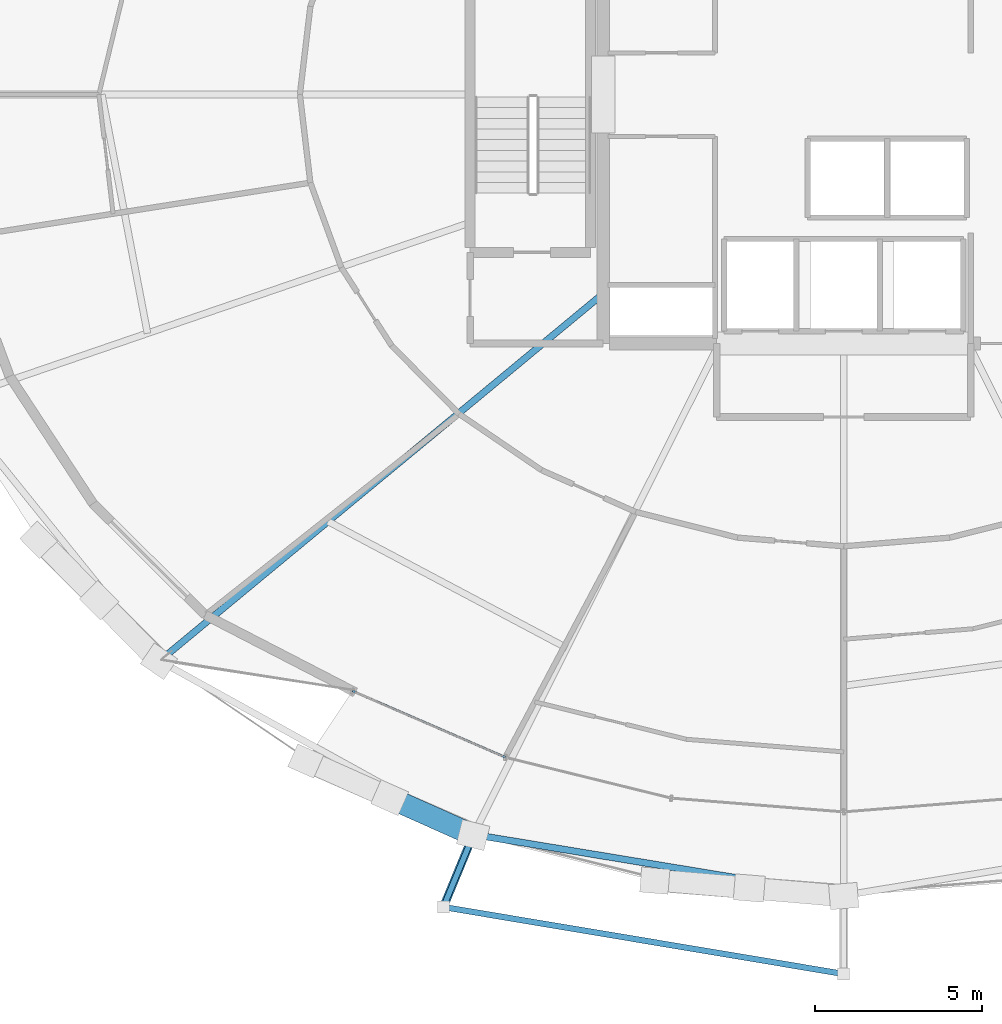
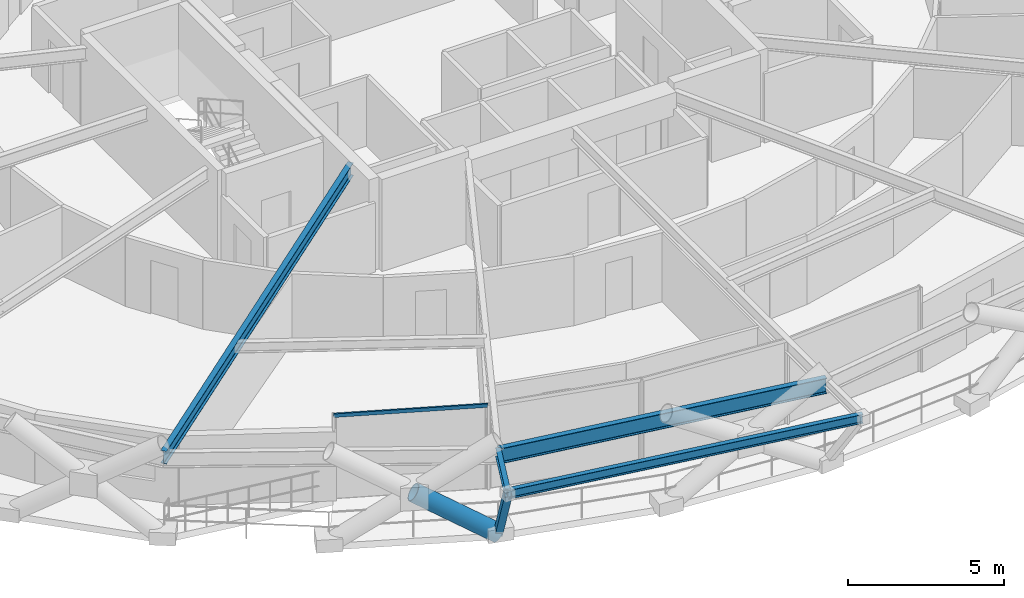
# One storey, part 3 of 20: 4 beams, 3 members, 1 element without a shape of its own.
"""IFC4 building model written with IfcOpenShell, lengths in metres."""

from ifc_helpers import new_model, si_unit, direction, frame, origin, origin_2d, place, context, subcontext, project, spatial, hollow_rectangle, hollow_circle, i_section, extrude, material, layer, layer_set, material_profile, profile_set, type_object, element, aggregate, save


model = new_model("IFC4")

# Units and contexts
model_context = context("Model", 3, precision=1e-05, world=origin(), true_north=direction((0.0, 1.0)))
body_context = subcontext(model_context, "Body", "Model", "MODEL_VIEW")
ifc_project = project(units=[si_unit("LENGTHUNIT", "METRE"), si_unit("AREAUNIT", "SQUARE_METRE"), si_unit("VOLUMEUNIT", "CUBIC_METRE"), si_unit("PLANEANGLEUNIT", "RADIAN"), si_unit("MASSUNIT", "GRAM", prefix="KILO")], contexts=[model_context])

# Site, building, storey
site_placement = place(None, origin())
site = spatial("IfcSite", under=ifc_project, at=site_placement, CompositionType="ELEMENT")
building_placement = place(site_placement, origin())
building = spatial("IfcBuilding", under=site, at=building_placement, Name="Veldorina Hangang Commons", CompositionType="ELEMENT")
storey_placement = place(building_placement, frame((0.0, 0.0, 84.39990234375)))
storey = spatial("IfcBuildingStorey", under=building, at=storey_placement, Name="L21", CompositionType="ELEMENT", Elevation=84.39990234375)

# Beams
ifc_material_1 = material(Name="Steel SM355-TMC", Category="steel")
ifc_material_profile_1 = material_profile(ifc_material_1, i_section(OverallWidth=0.175048828125, OverallDepth=0.35009765625, WebThickness=0.007080078125, FlangeThickness=0.010986328125, FilletRadius=0.012939453125, at=origin_2d()), Name="H-350x175x7x11")
ifc_profile_set_1 = profile_set([ifc_material_profile_1], Name="Steel SM355-TMC")
beam_type_1 = type_object("IfcBeamType", Name="BM-FG350", PredefinedType="BEAM", material=ifc_profile_set_1)
beam_1_placement = place(storey_placement, frame((20.920654296875, 1.858154296875, 3.1650390625), z_axis=(-0.382630118564, -0.923901614008, 0.0), x_axis=(0.923901614008, -0.382630118564, 0.0)))
element("IfcBeam", 1, at=beam_1_placement, inside=storey, type_object=beam_type_1, Name="L22 tree balcony 1 bracket beam A", PredefinedType="BEAM", context=body_context, shape_type="SweptSolid", body=[
    extrude(i_section(OverallWidth=0.175048828125, OverallDepth=0.35009765625, WebThickness=0.007080078125, FlangeThickness=0.010986328125, FilletRadius=0.012939453125, at=origin_2d()), origin(), (0.0, 0.0, 1.0), 2.349853515625),
])
beam_2_placement = place(storey_placement, frame((20.021484375, -0.31298828125, 3.1650390625), z_axis=(0.986303586305, -0.164940097131, 0.0), x_axis=(0.164940097131, 0.986303586305, 0.0)))
element("IfcBeam", 2, at=beam_2_placement, inside=storey, type_object=beam_type_1, Name="L22 tree balcony 1 outer rim beam", PredefinedType="BEAM", context=body_context, shape_type="SweptSolid", body=[
    extrude(i_section(OverallWidth=0.175048828125, OverallDepth=0.35009765625, WebThickness=0.007080078125, FlangeThickness=0.010986328125, FilletRadius=0.012939453125, at=origin_2d()), origin(), (0.0, 0.0, 1.0), 12.144775390625),
])
ifc_material_2 = material(Name="Steel SM420-TMC", Category="steel")
ifc_material_profile_2 = material_profile(ifc_material_2, i_section(OverallWidth=0.199951171875, OverallDepth=0.5, WebThickness=0.010009765625, FlangeThickness=0.01611328125, FilletRadius=0.01611328125, at=origin_2d()), Name="H-500x200x10x16")
ifc_profile_set_2 = profile_set([ifc_material_profile_2], Name="Steel SM420-TMC")
beam_type_2 = type_object("IfcBeamType", Name="BM-FG500", PredefinedType="BEAM", material=ifc_profile_set_2)
beam_3_placement = place(storey_placement, frame((24.800048828125, 18.0400390625, 3.090087890625), z_axis=(-0.770318971454, -0.637658750601, 0.0), x_axis=(0.637658750601, -0.770318971454, 0.0)))
element("IfcBeam", 3, at=beam_3_placement, inside=storey, type_object=beam_type_2, Name="L21 radial floor girder 11", PredefinedType="BEAM", context=body_context, shape_type="SweptSolid", body=[
    extrude(i_section(OverallWidth=0.199951171875, OverallDepth=0.5, WebThickness=0.010009765625, FlangeThickness=0.01611328125, FilletRadius=0.01611328125, at=origin_2d()), origin(), (0.0, 0.0, 1.0), 17.23291015625),
])
ifc_material_profile_3 = material_profile(ifc_material_2, i_section(OverallWidth=0.199951171875, OverallDepth=0.60009765625, WebThickness=0.010986328125, FlangeThickness=0.01708984375, FilletRadius=0.01806640625, at=origin_2d()), Name="H-600x200x11x17")
ifc_profile_set_3 = profile_set([ifc_material_profile_3], Name="Steel SM420-TMC")
beam_type_3 = type_object("IfcBeamType", Name="BM-RB600", PredefinedType="BEAM", material=ifc_profile_set_3)
beam_4_placement = place(storey_placement, frame((20.919189453125, 1.85546875, 3.0400390625), z_axis=(0.986711114759, -0.162484386977, 0.0), x_axis=(0.162484386977, 0.986711114759, 0.0)))
element("IfcBeam", 4, at=beam_4_placement, inside=storey, type_object=beam_type_3, Name="L21 perimeter hoop ring beam 22", PredefinedType="BEAM", context=body_context, shape_type="SweptSolid", body=[
    extrude(i_section(OverallWidth=0.199951171875, OverallDepth=0.60009765625, WebThickness=0.010986328125, FlangeThickness=0.01708984375, FilletRadius=0.01806640625, at=origin_2d()), origin(), (0.0, 0.0, 1.0), 11.22998046875),
])

# Curtain wall, member
ifc_material_3 = material(Name="Glass Low-E Triple IGU", Category="glass")
ifc_layer = layer(ifc_material_3, 0.179931640625)
ifc_layer_set = layer_set([ifc_layer], Name="Glass Low-E Triple IGU")
curtain_wall_type = type_object("IfcCurtainWallType", Name="CW-SYS-Z1", PredefinedType="NOTDEFINED", material=ifc_layer_set)
curtain_wall_placement = place(storey_placement, origin())
curtain_wall = element("IfcCurtainWall", 5, at=curtain_wall_placement, inside=storey, type_object=curtain_wall_type, Name="L21 unitised curtain wall CW-L21-R1", PredefinedType="NOTDEFINED")
ifc_material_4 = material(Name="Aluminium Anodized AA6063-T6", Category="aluminium")
ifc_material_profile_4 = material_profile(ifc_material_4, hollow_rectangle(XDim=0.06005859375, YDim=0.139892578125, WallThickness=0.00341796875, at=origin_2d()), Name="ALU-RHS-140x60x3.5")
ifc_profile_set_4 = profile_set([ifc_material_profile_4], Name="Aluminium Anodized AA6063-T6")
member_type_1 = type_object("IfcMemberType", Name="CW-TRN-140", PredefinedType="USERDEFINED", material=ifc_profile_set_4)
member_1_placement = place(storey_placement, frame((17.30029296875, 6.15234375, 3.260009765625), z_axis=(0.917447213196, -0.397857526004, 0.0), x_axis=(0.397857526004, 0.917447213196, 0.0)))
member_1 = element("IfcMember", 6, at=member_1_placement, type_object=member_type_1, Name="CW-L21-R1 facet 1 transom 1", ObjectType="TRANSOM", PredefinedType="USERDEFINED", context=body_context, shape_type="SweptSolid", body=[
    extrude(hollow_rectangle(XDim=0.06005859375, YDim=0.139892578125, WallThickness=0.00341796875, at=origin_2d()), origin(), (0.0, 0.0, 1.0), 4.98583984375),
])
aggregate(curtain_wall, [member_1])

# Members
ifc_material_5 = material(Name="Steel SM460-TMC", Category="steel")
ifc_material_profile_5 = material_profile(ifc_material_5, hollow_circle(Radius=0.324951171875, WallThickness=0.031982421875, at=origin_2d()), Name="CHS-650x32")
ifc_profile_set_5 = profile_set([ifc_material_profile_5], Name="Steel SM460-TMC")
member_type_2 = type_object("IfcMemberType", Name="DG-CHS650", PredefinedType="BRACE", material=ifc_profile_set_5)
member_2_placement = place(storey_placement, frame((20.91015625, 1.840576171875, 0.0), z_axis=(-0.762686188377, 0.34080163567, 0.549694481675), x_axis=(-0.407966960305, -0.912996691834, 0.0)))
element("IfcMember", 7, at=member_2_placement, inside=storey, type_object=member_type_2, Name="L21 split perimeter diagrid lower brace 22", PredefinedType="BRACE", context=body_context, shape_type="SweptSolid", body=[
    extrude(hollow_circle(Radius=0.324951171875, WallThickness=0.031982421875, at=origin_2d()), origin(), (0.0, 0.0, 1.0), 3.27587890625),
])
ifc_material_profile_6 = material_profile(ifc_material_1, hollow_rectangle(XDim=0.25, YDim=0.25, WallThickness=0.011962890625, at=origin_2d()), Name="SHS-250x250x12")
ifc_profile_set_6 = profile_set([ifc_material_profile_6], Name="Steel SM355-TMC")
member_type_3 = type_object("IfcMemberType", Name="STR-SHS250", PredefinedType="STRUT", material=ifc_profile_set_6)
member_3_placement = place(storey_placement, frame((20.91015625, 1.840576171875, 0.0), z_axis=(-0.226124062284, -0.547978119069, 0.805349544905), x_axis=(0.924389183785, -0.381450700485, 0.0)))
element("IfcMember", 8, at=member_3_placement, inside=storey, type_object=member_type_3, Name="L22 tree balcony 1 raking knee strut A", PredefinedType="STRUT", context=body_context, shape_type="SweptSolid", body=[
    extrude(hollow_rectangle(XDim=0.25, YDim=0.25, WallThickness=0.011962890625, at=origin_2d()), origin(), (0.0, 0.0, 1.0), 3.929931640625),
])

save(model, "model.ifc")
